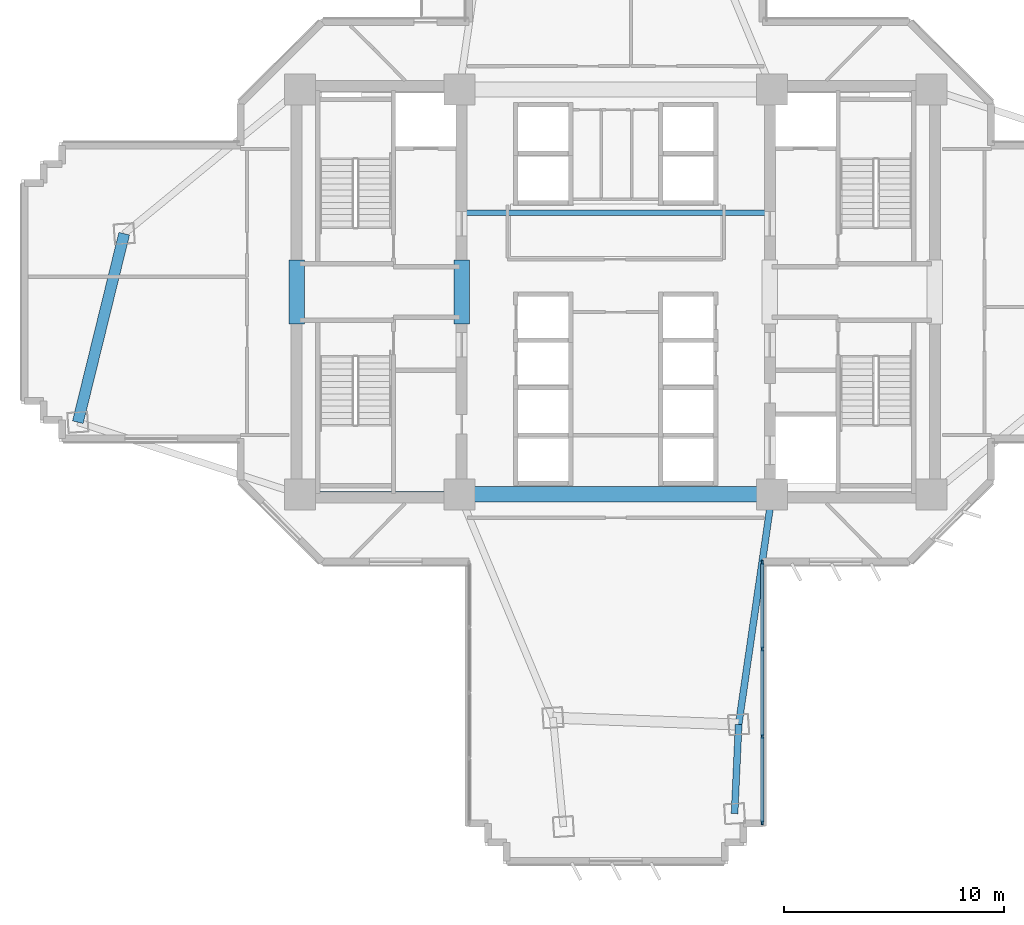
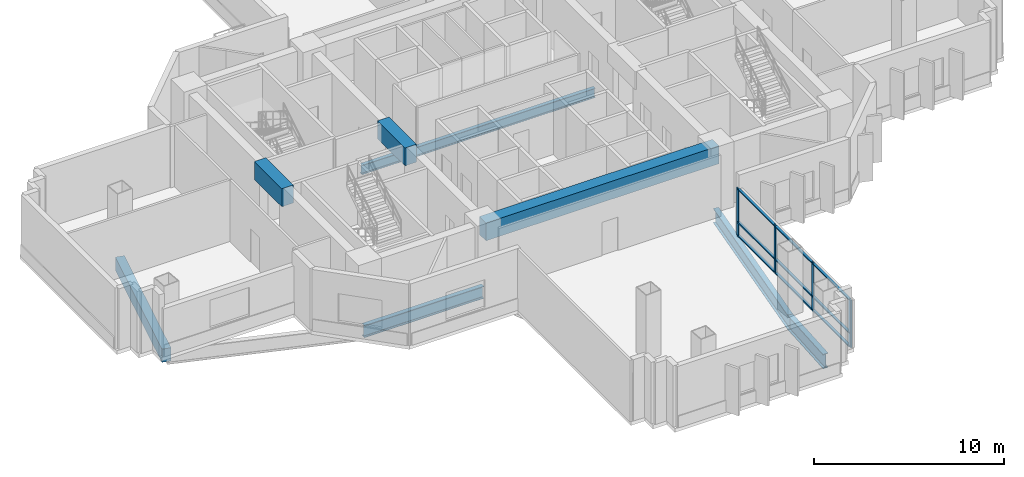
# One storey, part 3 of 14: 13 members, 8 beams, 1 element without a shape of its own.
"""IFC4 building model written with IfcOpenShell, lengths in metres."""

from ifc_helpers import new_model, si_unit, direction, frame, origin, origin_2d, place, context, subcontext, project, spatial, rectangle, i_section, extrude, source, transform, mapped, material, layer, layer_set, material_profile, profile_set, type_object, element, aggregate, save


model = new_model("IFC4")

# Units and contexts
model_context = context("Model", 3, precision=1e-05, world=origin(), true_north=direction((0.0, 1.0)))
body_context = subcontext(model_context, "Body", "Model", "MODEL_VIEW")
ifc_project = project(units=[si_unit("LENGTHUNIT", "METRE"), si_unit("AREAUNIT", "SQUARE_METRE"), si_unit("VOLUMEUNIT", "CUBIC_METRE"), si_unit("PLANEANGLEUNIT", "RADIAN"), si_unit("MASSUNIT", "GRAM", prefix="KILO")], contexts=[model_context])

# Site, building, storey
site_placement = place(None, origin())
site = spatial("IfcSite", under=ifc_project, at=site_placement, CompositionType="ELEMENT")
building_placement = place(site_placement, origin())
building = spatial("IfcBuilding", under=site, at=building_placement, Name="Zahravan Cultural Tower", CompositionType="ELEMENT")
storey_placement = place(building_placement, frame((0.0, 0.0, 37.5)))
storey = spatial("IfcBuildingStorey", under=building, at=storey_placement, Name="L07", CompositionType="ELEMENT", Elevation=37.5)

# Beams
ifc_material_1 = material(Name="Concrete C50/60", Category="concrete")
ifc_material_profile_1 = material_profile(ifc_material_1, rectangle(XDim=0.699951171875, YDim=1.14990234375, at=origin_2d()), Name="RC700X1150")
ifc_profile_set_1 = profile_set([ifc_material_profile_1], Name="Concrete C50/60")
beam_type_1 = type_object("IfcBeamType", Name="BM-LN-RC700X1150", PredefinedType="LINTEL", material=ifc_profile_set_1)
shared_shape_1 = source(origin(), body_context, "Body", "SweptSolid", [
    extrude(rectangle(XDim=0.699951171875, YDim=1.14990234375, at=origin_2d()), origin(), (0.0, 0.0, 1.0), 14.2001953125),
])
beam_1_placement = place(storey_placement, frame((28.89990234375, 17.800048828125, 3.375), z_axis=(1.0, 0.0, 0.0), x_axis=(0.0, 1.0, 0.0)))
element("IfcBeam", 1, at=beam_1_placement, inside=storey, type_object=beam_type_1, Name="L07 Beam LN-L07-S", PredefinedType="LINTEL", context=body_context, shape_type="MappedRepresentation", body=[
    mapped(shared_shape_1, transform((0.0, 0.0, 0.0), x_axis=(1.0, 0.0, 0.0), y_axis=(0.0, 1.0, 0.0), z_axis=(0.0, 0.0, 1.0), scale=1.0)),
])
shared_shape_2 = source(origin(), body_context, "Body", "SweptSolid", [
    extrude(rectangle(XDim=0.699951171875, YDim=1.14990234375, at=origin_2d()), origin(), (0.0, 0.0, 1.0), 2.89990234375),
])
for number, where, z_axis, x_axis, name in (
    (2, (21.5, 25.550048828125, 3.375), (0.0, 1.0, 0.0), (-1.0, 0.0, 0.0), "L07 Beam LN-L07-PWW"),
    (3, (29.0, 25.550048828125, 3.375), (0.0, 1.0, 0.0), (-1.0, 0.0, 0.0), "L07 Beam LN-L07-PWE"),
):
    element("IfcBeam", number, at=place(storey_placement, frame(where, z_axis=z_axis, x_axis=x_axis)), inside=storey, type_object=beam_type_1, Name=name, PredefinedType="LINTEL", context=body_context, shape_type="MappedRepresentation", body=[
        mapped(shared_shape_2, transform((0.0, 0.0, 0.0), x_axis=(1.0, 0.0, 0.0), y_axis=(0.0, 1.0, 0.0), z_axis=(0.0, 0.0, 1.0), scale=1.0)),
    ])
ifc_material_2 = material(Name="Steel ASTM A992 Grade 50", Category="steel")
ifc_material_profile_2 = material_profile(ifc_material_2, i_section(OverallWidth=0.26611328125, OverallDepth=0.780029296875, WebThickness=0.0166015625, FlangeThickness=0.030029296875, FilletRadius=0.01904296875, at=origin_2d()), Name="W30X148")
ifc_profile_set_2 = profile_set([ifc_material_profile_2], Name="Steel ASTM A992 Grade 50")
beam_type_2 = type_object("IfcBeamType", Name="BM-G-W30X148", PredefinedType="BEAM", material=ifc_profile_set_2)
shared_shape_3 = source(origin(), body_context, "Body", "SweptSolid", [
    extrude(i_section(OverallWidth=0.26611328125, OverallDepth=0.780029296875, WebThickness=0.0166015625, FlangeThickness=0.030029296875, FilletRadius=0.01904296875, at=origin_2d()), origin(), (0.0, 0.0, 1.0), 7.25),
])
beam_2_placement = place(storey_placement, frame((21.64990234375, 17.800048828125, -0.639892578125), z_axis=(1.0, 0.0, 0.0), x_axis=(0.0, 1.0, 0.0)))
element("IfcBeam", 4, at=beam_2_placement, inside=storey, type_object=beam_type_2, Name="L07 Beam BG-L07-01", PredefinedType="BEAM", context=body_context, shape_type="MappedRepresentation", body=[
    mapped(shared_shape_3, transform((0.0, 0.0, 0.0), x_axis=(1.0, 0.0, 0.0), y_axis=(0.0, 1.0, 0.0), z_axis=(0.0, 0.0, 1.0), scale=1.0)),
])
ifc_material_profile_3 = material_profile(ifc_material_2, i_section(OverallWidth=0.30908203125, OverallDepth=0.931884765625, WebThickness=0.02099609375, FlangeThickness=0.034423828125, FilletRadius=0.02392578125, at=origin_2d()), Name="W36X210")
ifc_profile_set_3 = profile_set([ifc_material_profile_3], Name="Steel ASTM A992 Grade 50")
beam_type_3 = type_object("IfcBeamType", Name="BM-G-W36X210", PredefinedType="BEAM", material=ifc_profile_set_3)
shared_shape_4 = source(origin(), body_context, "Body", "SweptSolid", [
    extrude(i_section(OverallWidth=0.30908203125, OverallDepth=0.931884765625, WebThickness=0.02099609375, FlangeThickness=0.034423828125, FilletRadius=0.02392578125, at=origin_2d()), origin(), (0.0, 0.0, 1.0), 10.5673828125),
])
beam_3_placement = place(storey_placement, frame((43.10009765625, 17.800048828125, -0.716064453125), z_axis=(-0.143377913539, -0.989668011966, 0.0), x_axis=(0.989668011966, -0.143377913539, 0.0)))
element("IfcBeam", 5, at=beam_3_placement, inside=storey, type_object=beam_type_3, Name="L07 Beam BG-L07-09", PredefinedType="BEAM", context=body_context, shape_type="MappedRepresentation", body=[
    mapped(shared_shape_4, transform((0.0, 0.0, 0.0), x_axis=(1.0, 0.0, 0.0), y_axis=(0.0, 1.0, 0.0), z_axis=(0.0, 0.0, 1.0), scale=1.0)),
])
shared_shape_5 = source(origin(), body_context, "Body", "SweptSolid", [
    extrude(i_section(OverallWidth=0.30908203125, OverallDepth=0.931884765625, WebThickness=0.02099609375, FlangeThickness=0.034423828125, FilletRadius=0.02392578125, at=origin_2d()), origin(), (0.0, 0.0, 1.0), 4.0537109375),
])
beam_4_placement = place(storey_placement, frame((41.5849609375, 7.341796875, -0.716064453125), z_axis=(-0.045770994677, -0.998951958828, 0.0), x_axis=(0.998951958828, -0.045770994677, 0.0)))
element("IfcBeam", 6, at=beam_4_placement, inside=storey, type_object=beam_type_3, Name="L07 Beam BG-L07-18", PredefinedType="BEAM", context=body_context, shape_type="MappedRepresentation", body=[
    mapped(shared_shape_5, transform((0.0, 0.0, 0.0), x_axis=(1.0, 0.0, 0.0), y_axis=(0.0, 1.0, 0.0), z_axis=(0.0, 0.0, 1.0), scale=1.0)),
])
ifc_material_profile_4 = material_profile(ifc_material_1, rectangle(XDim=0.5, YDim=0.85009765625, at=origin_2d()), Name="RC500X850")
ifc_profile_set_4 = profile_set([ifc_material_profile_4], Name="Concrete C50/60")
beam_type_4 = type_object("IfcBeamType", Name="BM-SP-RC500X850", PredefinedType="SPANDREL", material=ifc_profile_set_4)
shared_shape_6 = source(origin(), body_context, "Body", "SweptSolid", [
    extrude(rectangle(XDim=0.5, YDim=0.85009765625, at=origin_2d()), origin(), (0.0, 0.0, 1.0), 8.8232421875),
])
beam_5_placement = place(storey_placement, frame((13.660888671875, 29.648193359375, -0.675048828125), z_axis=(-0.238848860516, -0.971056755206, 0.0), x_axis=(0.971056755206, -0.238848860516, 0.0)))
element("IfcBeam", 7, at=beam_5_placement, inside=storey, type_object=beam_type_4, Name="L07 Beam SP-L07-22", PredefinedType="SPANDREL", context=body_context, shape_type="MappedRepresentation", body=[
    mapped(shared_shape_6, transform((0.0, 0.0, 0.0), x_axis=(1.0, 0.0, 0.0), y_axis=(0.0, 1.0, 0.0), z_axis=(0.0, 0.0, 1.0), scale=1.0)),
])
ifc_material_profile_5 = material_profile(ifc_material_2, i_section(OverallWidth=0.22802734375, OverallDepth=0.60302734375, WebThickness=0.010498046875, FlangeThickness=0.014892578125, FilletRadius=0.014892578125, at=origin_2d()), Name="W24X68")
ifc_profile_set_5 = profile_set([ifc_material_profile_5], Name="Steel ASTM A992 Grade 50")
beam_type_5 = type_object("IfcBeamType", Name="BM-J-W24X68", PredefinedType="JOIST", material=ifc_profile_set_5)
shared_shape_7 = source(origin(), body_context, "Body", "SweptSolid", [
    extrude(i_section(OverallWidth=0.22802734375, OverallDepth=0.60302734375, WebThickness=0.010498046875, FlangeThickness=0.014892578125, FilletRadius=0.014892578125, at=origin_2d()), origin(), (0.0, 0.0, 1.0), 14.2001953125),
])
beam_6_placement = place(storey_placement, frame((28.89990234375, 30.60009765625, -0.551513671875), z_axis=(1.0, 0.0, 0.0), x_axis=(0.0, 1.0, 0.0)))
element("IfcBeam", 8, at=beam_6_placement, inside=storey, type_object=beam_type_5, Name="L07 Beam BJ-L07-23", PredefinedType="JOIST", context=body_context, shape_type="MappedRepresentation", body=[
    mapped(shared_shape_7, transform((0.0, 0.0, 0.0), x_axis=(1.0, 0.0, 0.0), y_axis=(0.0, 1.0, 0.0), z_axis=(0.0, 0.0, 1.0), scale=1.0)),
])

# Curtain wall, members
ifc_material_3 = material(Name="Anodised bronze-aluminium mullion", Category="aluminium")
ifc_layer = layer(ifc_material_3, 0.199951171875)
ifc_layer_set = layer_set([ifc_layer], Name="Anodised bronze-aluminium mullion")
curtain_wall_type = type_object("IfcCurtainWallType", Name="CW-SYS-2", PredefinedType="USERDEFINED", material=ifc_layer_set)
curtain_wall_placement = place(storey_placement, origin())
curtain_wall = element("IfcCurtainWall", 9, at=curtain_wall_placement, inside=storey, type_object=curtain_wall_type, Name="L07 Recessed Curtain Wall CW-2.1", ObjectType="RECESSED GLAZING", PredefinedType="USERDEFINED")
ifc_material_profile_6 = material_profile(ifc_material_3, rectangle(XDim=0.14990234375, YDim=0.074951171875, at=origin_2d()), Name="AL-T75X150")
ifc_profile_set_6 = profile_set([ifc_material_profile_6], Name="Anodised bronze-aluminium mullion")
member_type_1 = type_object("IfcMemberType", Name="CWT-CW-2", PredefinedType="USERDEFINED", material=ifc_profile_set_6)
shared_shape_8 = source(origin(), body_context, "Body", "SweptSolid", [
    extrude(rectangle(XDim=0.14990234375, YDim=0.074951171875, at=origin_2d()), origin(), (0.0, 0.0, 1.0), 3.854248046875),
])
member_1_placement = place(storey_placement, frame((42.659912109375, 14.6650390625, 0.03759765625), z_axis=(0.0, -1.0, 0.0), x_axis=(1.0, 0.0, 0.0)))
member_1 = element("IfcMember", 10, at=member_1_placement, type_object=member_type_1, Name="CW-2 transom 1.1", ObjectType="TRANSOM", PredefinedType="USERDEFINED", context=body_context, shape_type="MappedRepresentation", body=[
    mapped(shared_shape_8, transform((0.0, 0.0, 0.0), x_axis=(1.0, 0.0, 0.0), y_axis=(0.0, 1.0, 0.0), z_axis=(0.0, 0.0, 1.0), scale=1.0)),
])
member_2_placement = place(storey_placement, frame((42.659912109375, 14.6650390625, 0.89990234375), z_axis=(0.0, -1.0, 0.0), x_axis=(1.0, 0.0, 0.0)))
member_2 = element("IfcMember", 11, at=member_2_placement, type_object=member_type_1, Name="CW-2 transom 1.2", ObjectType="TRANSOM", PredefinedType="USERDEFINED", context=body_context, shape_type="MappedRepresentation", body=[
    mapped(shared_shape_8, transform((0.0, 0.0, 0.0), x_axis=(1.0, 0.0, 0.0), y_axis=(0.0, 1.0, 0.0), z_axis=(0.0, 0.0, 1.0), scale=1.0)),
])
member_3_placement = place(storey_placement, frame((42.659912109375, 14.6650390625, 3.032470703125), z_axis=(0.0, -1.0, 0.0), x_axis=(1.0, 0.0, 0.0)))
member_3 = element("IfcMember", 12, at=member_3_placement, type_object=member_type_1, Name="CW-2 transom 1.3", ObjectType="TRANSOM", PredefinedType="USERDEFINED", context=body_context, shape_type="MappedRepresentation", body=[
    mapped(shared_shape_8, transform((0.0, 0.0, 0.0), x_axis=(1.0, 0.0, 0.0), y_axis=(0.0, 1.0, 0.0), z_axis=(0.0, 0.0, 1.0), scale=1.0)),
])
member_4_placement = place(storey_placement, frame((42.659912109375, 6.769287109375, 0.03759765625), z_axis=(0.0, -1.0, 0.0), x_axis=(1.0, 0.0, 0.0)))
member_4 = element("IfcMember", 13, at=member_4_placement, type_object=member_type_1, Name="CW-2 transom 3.1", ObjectType="TRANSOM", PredefinedType="USERDEFINED", context=body_context, shape_type="MappedRepresentation", body=[
    mapped(shared_shape_8, transform((0.0, 0.0, 0.0), x_axis=(1.0, 0.0, 0.0), y_axis=(0.0, 1.0, 0.0), z_axis=(0.0, 0.0, 1.0), scale=1.0)),
])
member_5_placement = place(storey_placement, frame((42.659912109375, 6.769287109375, 0.89990234375), z_axis=(0.0, -1.0, 0.0), x_axis=(1.0, 0.0, 0.0)))
member_5 = element("IfcMember", 14, at=member_5_placement, type_object=member_type_1, Name="CW-2 transom 3.2", ObjectType="TRANSOM", PredefinedType="USERDEFINED", context=body_context, shape_type="MappedRepresentation", body=[
    mapped(shared_shape_8, transform((0.0, 0.0, 0.0), x_axis=(1.0, 0.0, 0.0), y_axis=(0.0, 1.0, 0.0), z_axis=(0.0, 0.0, 1.0), scale=1.0)),
])
member_6_placement = place(storey_placement, frame((42.659912109375, 6.769287109375, 3.032470703125), z_axis=(0.0, -1.0, 0.0), x_axis=(1.0, 0.0, 0.0)))
member_6 = element("IfcMember", 15, at=member_6_placement, type_object=member_type_1, Name="CW-2 transom 3.3", ObjectType="TRANSOM", PredefinedType="USERDEFINED", context=body_context, shape_type="MappedRepresentation", body=[
    mapped(shared_shape_8, transform((0.0, 0.0, 0.0), x_axis=(1.0, 0.0, 0.0), y_axis=(0.0, 1.0, 0.0), z_axis=(0.0, 0.0, 1.0), scale=1.0)),
])
shared_shape_9 = source(origin(), body_context, "Body", "SweptSolid", [
    extrude(rectangle(XDim=0.14990234375, YDim=0.074951171875, at=origin_2d()), origin(), (0.0, 0.0, 1.0), 3.8916015625),
])
member_7_placement = place(storey_placement, frame((42.659912109375, 10.73583984375, 0.03759765625), z_axis=(0.0, -1.0, 0.0), x_axis=(1.0, 0.0, 0.0)))
member_7 = element("IfcMember", 16, at=member_7_placement, type_object=member_type_1, Name="CW-2 transom 2.1", ObjectType="TRANSOM", PredefinedType="USERDEFINED", context=body_context, shape_type="MappedRepresentation", body=[
    mapped(shared_shape_9, transform((0.0, 0.0, 0.0), x_axis=(1.0, 0.0, 0.0), y_axis=(0.0, 1.0, 0.0), z_axis=(0.0, 0.0, 1.0), scale=1.0)),
])
member_8_placement = place(storey_placement, frame((42.659912109375, 10.73583984375, 0.89990234375), z_axis=(0.0, -1.0, 0.0), x_axis=(1.0, 0.0, 0.0)))
member_8 = element("IfcMember", 17, at=member_8_placement, type_object=member_type_1, Name="CW-2 transom 2.2", ObjectType="TRANSOM", PredefinedType="USERDEFINED", context=body_context, shape_type="MappedRepresentation", body=[
    mapped(shared_shape_9, transform((0.0, 0.0, 0.0), x_axis=(1.0, 0.0, 0.0), y_axis=(0.0, 1.0, 0.0), z_axis=(0.0, 0.0, 1.0), scale=1.0)),
])
member_9_placement = place(storey_placement, frame((42.659912109375, 10.73583984375, 3.032470703125), z_axis=(0.0, -1.0, 0.0), x_axis=(1.0, 0.0, 0.0)))
member_9 = element("IfcMember", 18, at=member_9_placement, type_object=member_type_1, Name="CW-2 transom 2.3", ObjectType="TRANSOM", PredefinedType="USERDEFINED", context=body_context, shape_type="MappedRepresentation", body=[
    mapped(shared_shape_9, transform((0.0, 0.0, 0.0), x_axis=(1.0, 0.0, 0.0), y_axis=(0.0, 1.0, 0.0), z_axis=(0.0, 0.0, 1.0), scale=1.0)),
])
ifc_material_profile_7 = material_profile(ifc_material_3, rectangle(XDim=0.074951171875, YDim=0.199951171875, at=origin_2d()), Name="AL-M75X200")
ifc_profile_set_7 = profile_set([ifc_material_profile_7], Name="Anodised bronze-aluminium mullion")
member_type_2 = type_object("IfcMemberType", Name="CWM-CW-2", PredefinedType="MULLION", material=ifc_profile_set_7)
shared_shape_10 = source(origin(), body_context, "Body", "SweptSolid", [
    extrude(rectangle(XDim=0.074951171875, YDim=0.199951171875, at=origin_2d()), origin(), (0.0, 0.0, 1.0), 3.070068359375),
])
member_10_placement = place(storey_placement, frame((42.659912109375, 14.702392578125, 0.0), z_axis=(0.0, 0.0, 1.0), x_axis=(1.0, 0.0, 0.0)))
member_10 = element("IfcMember", 19, at=member_10_placement, type_object=member_type_2, Name="CW-2 mullion 1", PredefinedType="MULLION", context=body_context, shape_type="MappedRepresentation", body=[
    mapped(shared_shape_10, transform((0.0, 0.0, 0.0), x_axis=(1.0, 0.0, 0.0), y_axis=(0.0, 1.0, 0.0), z_axis=(0.0, 0.0, 1.0), scale=1.0)),
])
member_11_placement = place(storey_placement, frame((42.659912109375, 10.7734375, 0.0), z_axis=(0.0, 0.0, 1.0), x_axis=(1.0, 0.0, 0.0)))
member_11 = element("IfcMember", 20, at=member_11_placement, type_object=member_type_2, Name="CW-2 mullion 2", PredefinedType="MULLION", context=body_context, shape_type="MappedRepresentation", body=[
    mapped(shared_shape_10, transform((0.0, 0.0, 0.0), x_axis=(1.0, 0.0, 0.0), y_axis=(0.0, 1.0, 0.0), z_axis=(0.0, 0.0, 1.0), scale=1.0)),
])
member_12_placement = place(storey_placement, frame((42.659912109375, 6.806640625, 0.0), z_axis=(0.0, 0.0, 1.0), x_axis=(1.0, 0.0, 0.0)))
member_12 = element("IfcMember", 21, at=member_12_placement, type_object=member_type_2, Name="CW-2 mullion 3", PredefinedType="MULLION", context=body_context, shape_type="MappedRepresentation", body=[
    mapped(shared_shape_10, transform((0.0, 0.0, 0.0), x_axis=(1.0, 0.0, 0.0), y_axis=(0.0, 1.0, 0.0), z_axis=(0.0, 0.0, 1.0), scale=1.0)),
])
member_13_placement = place(storey_placement, frame((42.659912109375, 2.87744140625, 0.0), z_axis=(0.0, 0.0, 1.0), x_axis=(1.0, 0.0, 0.0)))
member_13 = element("IfcMember", 22, at=member_13_placement, type_object=member_type_2, Name="CW-2 mullion 4", PredefinedType="MULLION", context=body_context, shape_type="MappedRepresentation", body=[
    mapped(shared_shape_10, transform((0.0, 0.0, 0.0), x_axis=(1.0, 0.0, 0.0), y_axis=(0.0, 1.0, 0.0), z_axis=(0.0, 0.0, 1.0), scale=1.0)),
])
aggregate(curtain_wall, [member_10, member_11, member_12, member_13, member_1, member_2, member_3, member_7, member_8, member_9, member_4, member_5, member_6])

save(model, "model.ifc")
